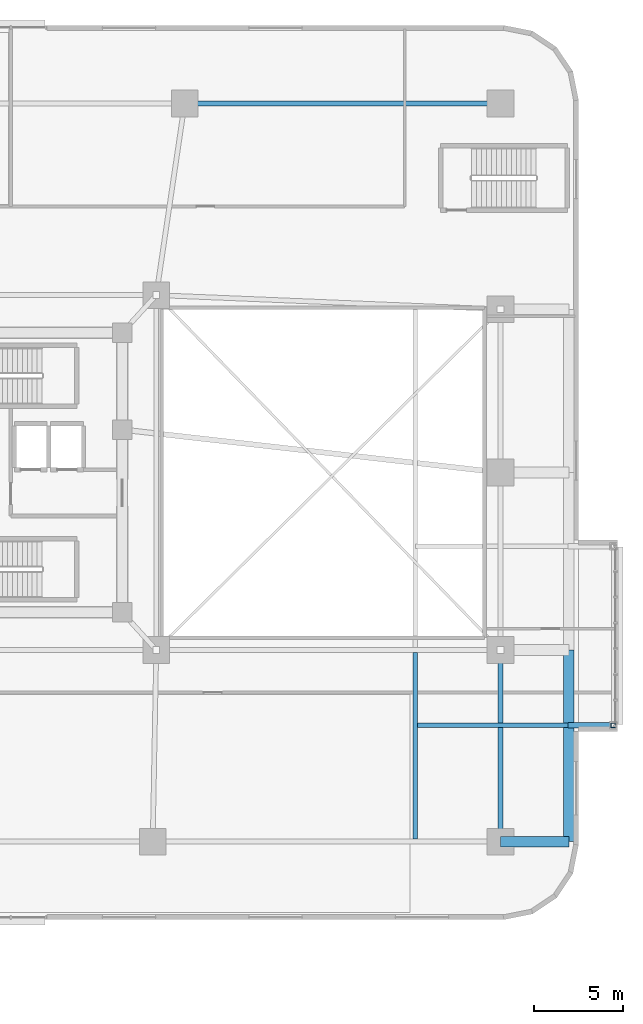
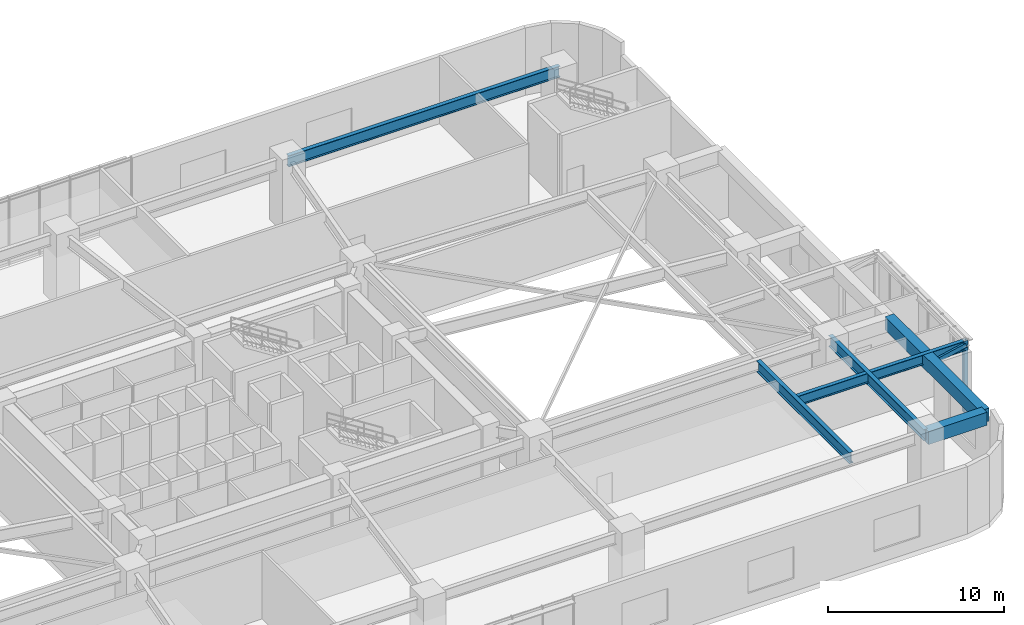
# One storey, part 9 of 24: 6 beams, 2 members.
"""IFC4 building model written with IfcOpenShell, lengths in metres."""

from ifc_helpers import new_model, si_unit, direction, frame, origin, origin_2d, place, context, subcontext, project, spatial, rectangle, hollow_rectangle, i_section, extrude, material, material_profile, profile_set, type_object, element, save


model = new_model("IFC4")

# Units and contexts
model_context = context("Model", 3, precision=1e-05, world=origin(), true_north=direction((0.0, 1.0)))
body_context = subcontext(model_context, "Body", "Model", "MODEL_VIEW")
ifc_project = project(units=[si_unit("LENGTHUNIT", "METRE"), si_unit("AREAUNIT", "SQUARE_METRE"), si_unit("VOLUMEUNIT", "CUBIC_METRE"), si_unit("PLANEANGLEUNIT", "RADIAN"), si_unit("MASSUNIT", "GRAM", prefix="KILO")], contexts=[model_context])

# Site, building, storey
site_placement = place(None, origin())
site = spatial("IfcSite", under=ifc_project, at=site_placement, CompositionType="ELEMENT")
building_placement = place(site_placement, origin())
building = spatial("IfcBuilding", under=site, at=building_placement, Name="Zulverin Broadcast Headquarters", CompositionType="ELEMENT")
storey_placement = place(building_placement, frame((0.0, 0.0, 5.0)))
storey = spatial("IfcBuildingStorey", under=building, at=storey_placement, Name="L01", CompositionType="ELEMENT", Elevation=5.0)

# Beams
ifc_material_1 = material(Name="Concrete C40/50", Category="concrete")
ifc_material_profile_1 = material_profile(ifc_material_1, rectangle(XDim=0.60009765625, YDim=0.89990234375, at=origin_2d()), Name="Concrete C40/50", Category="concrete")
ifc_profile_set_1 = profile_set([ifc_material_profile_1], Name="Concrete C40/50")
beam_type_1 = type_object("IfcBeamType", Name="BM-RC-600x900", PredefinedType="BEAM", material=ifc_profile_set_1)
beam_1_placement = place(storey_placement, frame((69.60009765625, 4.39990234375, 4.2099609375), z_axis=(1.0, 0.0, 0.0), x_axis=(0.0, 1.0, 0.0)))
element("IfcBeam", 1, at=beam_1_placement, inside=storey, type_object=beam_type_1, Name="L01 East Perimeter Bracket Girder EBR-1", PredefinedType="BEAM", context=body_context, shape_type="SweptSolid", body=[
    extrude(rectangle(XDim=0.60009765625, YDim=0.89990234375, at=origin_2d()), origin(), (0.0, 0.0, 1.0), 3.849853515625),
])
beam_2_placement = place(storey_placement, frame((73.449951171875, 4.39990234375, 4.2099609375), z_axis=(0.0, 1.0, 0.0), x_axis=(-1.0, 0.0, 0.0)))
element("IfcBeam", 2, at=beam_2_placement, inside=storey, type_object=beam_type_1, Name="L01 East Edge Spandrel Girder EEG-1", PredefinedType="BEAM", context=body_context, shape_type="SweptSolid", body=[
    extrude(rectangle(XDim=0.60009765625, YDim=0.89990234375, at=origin_2d()), origin(), (0.0, 0.0, 1.0), 10.800048828125),
])
ifc_material_2 = material(Name="Structural steel S355JR", Category="steel")
ifc_material_profile_2 = material_profile(ifc_material_2, i_section(OverallWidth=0.255859375, OverallDepth=0.69287109375, WebThickness=0.014404296875, FlangeThickness=0.023681640625, at=origin_2d()), Name="Structural steel S355JR", Category="steel")
ifc_profile_set_2 = profile_set([ifc_material_profile_2], Name="Structural steel S355JR")
beam_type_2 = type_object("IfcBeamType", Name="BM-UB-686", PredefinedType="BEAM", material=ifc_profile_set_2)
beam_3_placement = place(storey_placement, frame((64.800048828125, 10.949951171875, 4.3134765625), z_axis=(1.0, 0.0, 0.0), x_axis=(0.0, 1.0, 0.0)))
element("IfcBeam", 3, at=beam_3_placement, inside=storey, type_object=beam_type_2, Name="L01 Studio Box Cantilever Girder SBOX_POD_LOWER_E1-1", PredefinedType="BEAM", context=body_context, shape_type="SweptSolid", body=[
    extrude(i_section(OverallWidth=0.255859375, OverallDepth=0.69287109375, WebThickness=0.014404296875, FlangeThickness=0.023681640625, at=origin_2d()), origin(), (0.0, 0.0, 1.0), 11.14990234375),
])
ifc_material_profile_3 = material_profile(ifc_material_2, i_section(OverallWidth=0.26806640625, OverallDepth=0.769775390625, WebThickness=0.015625, FlangeThickness=0.025390625, at=origin_2d()), Name="Structural steel S355JR", Category="steel")
ifc_profile_set_3 = profile_set([ifc_material_profile_3], Name="Structural steel S355JR")
beam_type_3 = type_object("IfcBeamType", Name="BM-UB-762", PredefinedType="BEAM", material=ifc_profile_set_3)
beam_4_placement = place(storey_placement, frame((69.60009765625, 4.39990234375, 4.275146484375), z_axis=(0.0, 1.0, 0.0), x_axis=(-1.0, 0.0, 0.0)))
element("IfcBeam", 4, at=beam_4_placement, inside=storey, type_object=beam_type_3, Name="L01 Podium Primary Girder P05-P14", PredefinedType="BEAM", context=body_context, shape_type="SweptSolid", body=[
    extrude(i_section(OverallWidth=0.26806640625, OverallDepth=0.769775390625, WebThickness=0.015625, FlangeThickness=0.025390625, at=origin_2d()), origin(), (0.0, 0.0, 1.0), 10.800048828125),
])
beam_5_placement = place(storey_placement, frame((69.60009765625, 46.0, 4.275146484375), z_axis=(-1.0, 0.0, 0.0), x_axis=(0.0, -1.0, 0.0)))
element("IfcBeam", 5, at=beam_5_placement, inside=storey, type_object=beam_type_3, Name="L01 Podium Primary Girder P10-P09", PredefinedType="BEAM", context=body_context, shape_type="SweptSolid", body=[
    extrude(i_section(OverallWidth=0.26806640625, OverallDepth=0.769775390625, WebThickness=0.015625, FlangeThickness=0.025390625, at=origin_2d()), origin(), (0.0, 0.0, 1.0), 17.800048828125),
])
beam_6_placement = place(storey_placement, frame((64.800048828125, 4.533935546875, 4.275146484375), z_axis=(0.0, 1.0, 0.0), x_axis=(-1.0, 0.0, 0.0)))
element("IfcBeam", 6, at=beam_6_placement, inside=storey, type_object=beam_type_3, Name="L01 East Back-Span Anchor Beam ESBA-1", PredefinedType="BEAM", context=body_context, shape_type="SweptSolid", body=[
    extrude(i_section(OverallWidth=0.26806640625, OverallDepth=0.769775390625, WebThickness=0.015625, FlangeThickness=0.025390625, at=origin_2d()), origin(), (0.0, 0.0, 1.0), 10.531982421875),
])

# Members
ifc_material_profile_4 = material_profile(ifc_material_2, hollow_rectangle(XDim=0.300048828125, YDim=0.300048828125, WallThickness=0.01611328125, at=origin_2d()), Name="Structural steel S355JR", Category="steel")
ifc_profile_set_4 = profile_set([ifc_material_profile_4], Name="Structural steel S355JR")
member_type_1 = type_object("IfcMemberType", Name="MBR-BLT-DIAG1", PredefinedType="BRACE", material=ifc_profile_set_4)
member_1_placement = place(storey_placement, frame((73.449951171875, 10.949951171875, 3.81005859375), z_axis=(0.976640463768, 0.0, 0.214879977038), x_axis=(0.0, 1.0, 0.0)))
element("IfcMember", 7, at=member_1_placement, inside=storey, type_object=member_type_1, Name="L01 Studio Box Raking Knee Brace SBOX_POD_LOWER_E1-1", PredefinedType="BRACE", context=body_context, shape_type="SweptSolid", body=[
    extrude(hollow_rectangle(XDim=0.300048828125, YDim=0.300048828125, WallThickness=0.01611328125, at=origin_2d()), origin(), (0.0, 0.0, 1.0), 2.559814453125),
])
ifc_material_profile_5 = material_profile(ifc_material_2, hollow_rectangle(XDim=0.25, YDim=0.25, WallThickness=0.01611328125, at=origin_2d()), Name="Structural steel S355JR", Category="steel")
ifc_profile_set_5 = profile_set([ifc_material_profile_5], Name="Structural steel S355JR")
member_type_2 = type_object("IfcMemberType", Name="MBR-BLT-POST", PredefinedType="POST", material=ifc_profile_set_5)
member_2_placement = place(storey_placement, frame((75.949951171875, 10.949951171875, -0.2900390625), z_axis=(0.0, 0.0, 1.0), x_axis=(1.0, 0.0, 0.0)))
element("IfcMember", 8, at=member_2_placement, inside=storey, type_object=member_type_2, Name="L01 Shifted Studio Box Frame Post SBOX_POD_LOWER_E1-1", PredefinedType="POST", context=body_context, shape_type="SweptSolid", body=[
    extrude(hollow_rectangle(XDim=0.25, YDim=0.25, WallThickness=0.01611328125, at=origin_2d()), origin(), (0.0, 0.0, 1.0), 4.949951171875),
])

save(model, "model.ifc")
